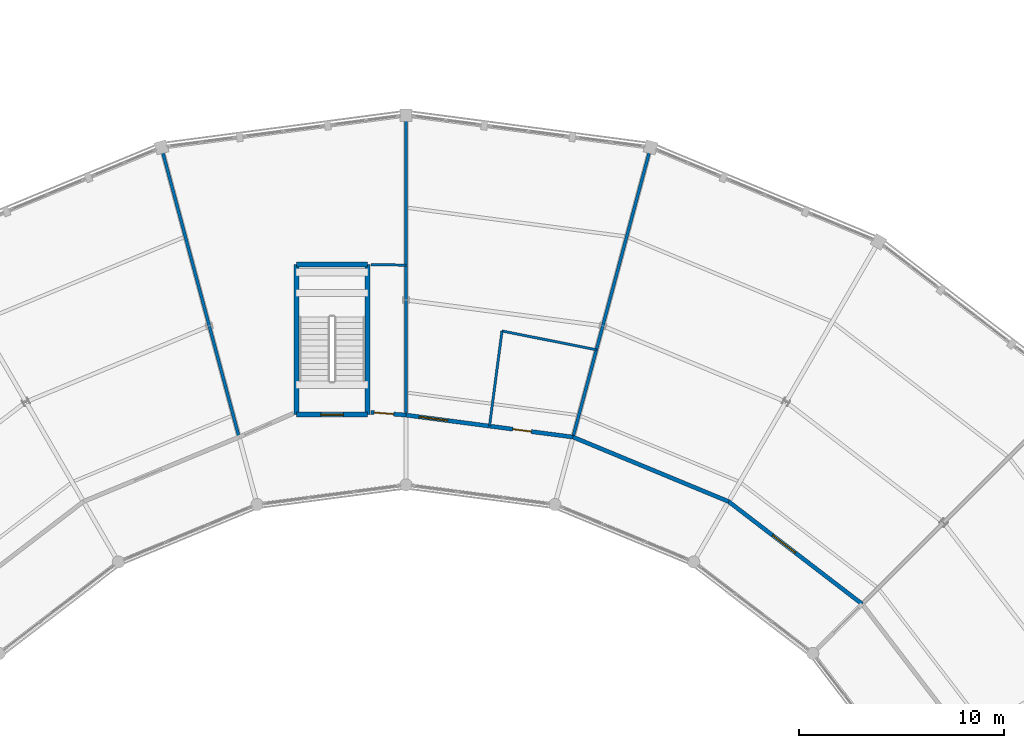
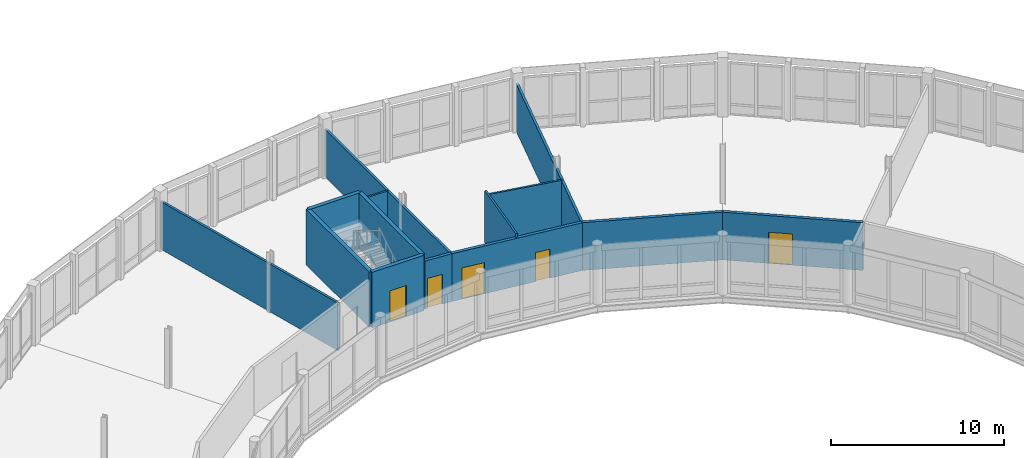
# One storey, part 145 of 170: 14 walls, 5 doors, 5 openings.
"""IFC4 building model written with IfcOpenShell, lengths in metres."""

from ifc_helpers import new_model, si_unit, direction, frame, frame_2d, origin, place, context, subcontext, project, spatial, rectangle, extrude, material, layer, layer_set, type_object, element, fill, save


model = new_model("IFC4")

# Units and contexts
model_context = context("Model", 3, precision=1e-05, world=origin(), true_north=direction((0.0, 1.0)))
body_context = subcontext(model_context, "Body", "Model", "MODEL_VIEW")
ifc_project = project(units=[si_unit("LENGTHUNIT", "METRE"), si_unit("AREAUNIT", "SQUARE_METRE"), si_unit("VOLUMEUNIT", "CUBIC_METRE"), si_unit("PLANEANGLEUNIT", "RADIAN"), si_unit("MASSUNIT", "GRAM", prefix="KILO")], contexts=[model_context])

# Site, building, storey
site_placement = place(None, origin())
site = spatial("IfcSite", under=ifc_project, at=site_placement, CompositionType="ELEMENT")
building_placement = place(site_placement, origin())
building = spatial("IfcBuilding", under=site, at=building_placement, Name="Vondelvale Polytechnic", CompositionType="ELEMENT")
storey_placement = place(building_placement, frame((0.0, 0.0, 5.39990234375)))
storey = spatial("IfcBuildingStorey", under=building, at=storey_placement, Name="L01", CompositionType="ELEMENT", Elevation=5.39990234375)

# Walls
ifc_material_1 = material(Name="Concrete N40 (f'c = 40 MPa)", Category="concrete")
ifc_layer_1 = layer(ifc_material_1, 0.25)
ifc_layer_set_1 = layer_set([ifc_layer_1], Name="WL-CORE-250")
wall_type_1 = type_object("IfcWallType", Name="WL-CORE-250", PredefinedType="SOLIDWALL", material=ifc_layer_set_1)
wall_1_placement = place(storey_placement, frame((100.125, 103.425048828125, 0.0), z_axis=(0.0, 0.0, 1.0), x_axis=(0.0, 1.0, 0.0)))
element("IfcWall", 1, at=wall_1_placement, inside=storey, type_object=wall_type_1, Name="L01 ST-09 reinforced concrete stair core wall", PredefinedType="SOLIDWALL", context=body_context, shape_type="SweptSolid", body=[
    extrude(rectangle(XDim=7.300048828125, YDim=0.25, at=frame_2d((3.64990234375, 0.0))), origin(), (0.0, 0.0, 1.0), 3.920166015625),
])
wall_2_placement = place(storey_placement, frame((100.125, 110.72509765625, 0.0), z_axis=(0.0, 0.0, 1.0), x_axis=(-1.0, 0.0, 0.0)))
element("IfcWall", 2, at=wall_2_placement, inside=storey, type_object=wall_type_1, Name="L01 ST-09 reinforced concrete stair core wall", PredefinedType="SOLIDWALL", context=body_context, shape_type="SweptSolid", body=[
    extrude(rectangle(XDim=3.449951171875, YDim=0.25, at=frame_2d((1.72509765625, 0.0))), origin(), (0.0, 0.0, 1.0), 3.920166015625),
])
wall_3_placement = place(storey_placement, frame((96.675048828125, 110.72509765625, 0.0), z_axis=(0.0, 0.0, 1.0), x_axis=(0.0, -1.0, 0.0)))
element("IfcWall", 3, at=wall_3_placement, inside=storey, type_object=wall_type_1, Name="L01 ST-09 reinforced concrete stair core wall", PredefinedType="SOLIDWALL", context=body_context, shape_type="SweptSolid", body=[
    extrude(rectangle(XDim=7.300048828125, YDim=0.25, at=frame_2d((3.64990234375, 0.0))), origin(), (0.0, 0.0, 1.0), 3.920166015625),
])

# Wall, opening, door
wall_4_placement = place(storey_placement, frame((96.675048828125, 103.425048828125, 0.0), z_axis=(0.0, 0.0, 1.0), x_axis=(1.0, 0.0, 0.0)))
wall_4 = element("IfcWall", 4, at=wall_4_placement, inside=storey, type_object=wall_type_1, Name="L01 ST-09 reinforced concrete stair core wall", PredefinedType="SOLIDWALL", context=body_context, shape_type="SweptSolid", body=[
    extrude(rectangle(XDim=3.449951171875, YDim=0.25, at=frame_2d((1.72509765625, 0.0))), origin(), (0.0, 0.0, 1.0), 3.920166015625),
])
opening_1_placement = place(wall_4_placement, frame((1.175048828125, 0.0, 0.0)))
opening_1 = element("IfcOpeningElement", 5, at=opening_1_placement, cuts=wall_4, Name="Opening SD-049", PredefinedType="OPENING", context=body_context, shape_type="SweptSolid", body=[
    extrude(rectangle(XDim=1.10009765625, YDim=2.199951171875, at=frame_2d((0.550048828125, 1.10009765625))), frame((0.0, 0.135009765625, 0.0), z_axis=(0.0, -1.0, 0.0), x_axis=(1.0, 0.0, 0.0)), (0.0, 0.0, 1.0), 0.27001953125),
])
ifc_material_2 = material(Name="Brushed architectural stainless and zinc-coated metal")
door_type_1 = type_object("IfcDoorType", Name="DR-STAIR-1100x2200", OperationType="SINGLE_SWING_LEFT", PredefinedType="DOOR", material=ifc_material_2)
door_1_placement = place(opening_1_placement, origin())
door_1 = element("IfcDoor", 6, at=door_1_placement, inside=storey, type_object=door_type_1, Name="L01 ST-09 fire-isolated stair door", OperationType="SINGLE_SWING_LEFT", OverallHeight=2.199951171875, OverallWidth=1.10009765625, PredefinedType="DOOR", context=body_context, shape_type="SweptSolid", body=[
    extrude(rectangle(XDim=1.10009765625, YDim=2.199951171875, at=frame_2d((0.550048828125, 1.10009765625))), frame((0.0, 0.02490234375, 0.0), z_axis=(0.0, -1.0, 0.0), x_axis=(1.0, 0.0, 0.0)), (0.0, 0.0, 1.0), 0.050048828125),
])
fill(opening_1, door_1)

# Wall, openings, doors
ifc_material_3 = material(Name="Fire-rated double-layer plasterboard stud partition")
ifc_layer_2 = layer(ifc_material_3, 0.199951171875)
ifc_layer_set_2 = layer_set([ifc_layer_2], Name="WL-CORR-200")
wall_type_2 = type_object("IfcWallType", Name="WL-CORR-200", PredefinedType="PARTITIONING", material=ifc_layer_set_2)
wall_5_placement = place(storey_placement, frame((110.126953125, 102.330078125, 0.0), z_axis=(0.0, 0.0, 1.0), x_axis=(-0.991446589332, 0.130513066404, 0.0)))
wall_5 = element("IfcWall", 7, at=wall_5_placement, inside=storey, type_object=wall_type_2, Name="L01 interior acoustic partition", PredefinedType="PARTITIONING", context=body_context, shape_type="SweptSolid", body=[
    extrude(rectangle(XDim=8.197021484375, YDim=0.199951171875, at=frame_2d((4.0986328125, 0.0))), origin(), (0.0, 0.0, 1.0), 3.3720703125),
])
opening_2_placement = place(wall_5_placement, frame((2.050048828125, 0.0, 0.0)))
opening_2 = element("IfcOpeningElement", 8, at=opening_2_placement, cuts=wall_5, Name="Opening ID-0298", PredefinedType="OPENING", context=body_context, shape_type="SweptSolid", body=[
    extrude(rectangle(XDim=0.89990234375, YDim=2.050048828125, at=frame_2d((0.449951171875, 1.02490234375))), frame((0.0, 0.10986328125, 0.0), z_axis=(0.0, -1.0, 0.0), x_axis=(1.0, 0.0, 0.0)), (0.0, 0.0, 1.0), 0.219970703125),
])
opening_3_placement = place(wall_5_placement, frame((6.14990234375, 0.0, 0.0)))
opening_3 = element("IfcOpeningElement", 9, at=opening_3_placement, cuts=wall_5, Name="Opening ID-0299", PredefinedType="OPENING", context=body_context, shape_type="SweptSolid", body=[
    extrude(rectangle(XDim=1.39990234375, YDim=2.199951171875, at=frame_2d((0.699951171875, 1.10009765625))), frame((0.0, 0.10986328125, 0.0), z_axis=(0.0, -1.0, 0.0), x_axis=(1.0, 0.0, 0.0)), (0.0, 0.0, 1.0), 0.219970703125),
])
ifc_material_4 = material(Name="Fire-rated solid Tasmanian oak joinery")
door_type_2 = type_object("IfcDoorType", Name="DR-LAB-1400x2200", OperationType="DOUBLE_DOOR_SINGLE_SWING", PredefinedType="DOOR", material=ifc_material_4)
door_2_placement = place(opening_3_placement, origin())
door_2 = element("IfcDoor", 10, at=door_2_placement, inside=storey, type_object=door_type_2, Name="L01 interior room door ID-0299", OperationType="DOUBLE_DOOR_SINGLE_SWING", OverallHeight=2.199951171875, OverallWidth=1.39990234375, PredefinedType="DOOR", context=body_context, shape_type="SweptSolid", body=[
    extrude(rectangle(XDim=1.39990234375, YDim=2.199951171875, at=frame_2d((0.699951171875, 1.10009765625))), frame((0.0, 0.02490234375, 0.0), z_axis=(0.0, -1.0, 0.0), x_axis=(1.0, 0.0, 0.0)), (0.0, 0.0, 1.0), 0.050048828125),
])
fill(opening_3, door_2)
door_type_3 = type_object("IfcDoorType", Name="DR-WC-0900x2050", OperationType="SINGLE_SWING_RIGHT", PredefinedType="DOOR", material=ifc_material_4)
door_3_placement = place(opening_2_placement, origin())
door_3 = element("IfcDoor", 11, at=door_3_placement, inside=storey, type_object=door_type_3, Name="L01 interior room door ID-0298", OperationType="SINGLE_SWING_RIGHT", OverallHeight=2.050048828125, OverallWidth=0.89990234375, PredefinedType="DOOR", context=body_context, shape_type="SweptSolid", body=[
    extrude(rectangle(XDim=0.89990234375, YDim=2.050048828125, at=frame_2d((0.449951171875, 1.02490234375))), frame((0.0, 0.02490234375, 0.0), z_axis=(0.0, -1.0, 0.0), x_axis=(1.0, 0.0, 0.0)), (0.0, 0.0, 1.0), 0.050048828125),
])
fill(opening_2, door_3)

# Wall, opening, door
wall_6_placement = place(storey_placement, frame((102.0, 103.39990234375, 0.0), z_axis=(0.0, 0.0, 1.0), x_axis=(-0.996807580938, 0.07984138391, 0.0)))
wall_6 = element("IfcWall", 12, at=wall_6_placement, inside=storey, type_object=wall_type_2, Name="L01 interior acoustic partition", PredefinedType="PARTITIONING", context=body_context, shape_type="SweptSolid", body=[
    extrude(rectangle(XDim=1.71533203125, YDim=0.199951171875, at=frame_2d((0.857666015625, 0.0))), origin(), (0.0, 0.0, 1.0), 3.3720703125),
])
opening_4_placement = place(wall_6_placement, frame((0.60546875, 0.0, 0.0)))
opening_4 = element("IfcOpeningElement", 13, at=opening_4_placement, cuts=wall_6, Name="Opening ID-0300", PredefinedType="OPENING", context=body_context, shape_type="SweptSolid", body=[
    extrude(rectangle(XDim=0.949951171875, YDim=2.10009765625, at=frame_2d((0.47509765625, 1.050048828125))), frame((0.0, 0.10986328125, 0.0), z_axis=(0.0, -1.0, 0.0), x_axis=(1.0, 0.0, 0.0)), (0.0, 0.0, 1.0), 0.219970703125),
])
door_type_4 = type_object("IfcDoorType", Name="DR-INT-0950x2100", OperationType="SINGLE_SWING_LEFT", PredefinedType="DOOR", material=ifc_material_4)
door_4_placement = place(opening_4_placement, origin())
door_4 = element("IfcDoor", 14, at=door_4_placement, inside=storey, type_object=door_type_4, Name="L01 interior room door ID-0300", OperationType="SINGLE_SWING_RIGHT", OverallHeight=2.10009765625, OverallWidth=0.949951171875, PredefinedType="DOOR", context=body_context, shape_type="SweptSolid", body=[
    extrude(rectangle(XDim=0.949951171875, YDim=2.10009765625, at=frame_2d((0.47509765625, 1.050048828125))), frame((0.0, 0.02490234375, 0.0), z_axis=(0.0, -1.0, 0.0), x_axis=(1.0, 0.0, 0.0)), (0.0, 0.0, 1.0), 0.050048828125),
])
fill(opening_4, door_4)

wall_7_placement = place(storey_placement, frame((124.203125, 94.203125, 0.0), z_axis=(0.0, 0.0, 1.0), x_axis=(-0.793357497113, 0.608756011694, 0.0)))
wall_7 = element("IfcWall", 15, at=wall_7_placement, inside=storey, type_object=wall_type_2, Name="L01 interior acoustic partition", PredefinedType="PARTITIONING", context=body_context, shape_type="SweptSolid", body=[
    extrude(rectangle(XDim=8.197021484375, YDim=0.199951171875, at=frame_2d((4.0986328125, 0.0))), origin(), (0.0, 0.0, 1.0), 3.3720703125),
])
opening_5_placement = place(wall_7_placement, frame((4.10009765625, 0.0, 0.0)))
opening_5 = element("IfcOpeningElement", 16, at=opening_5_placement, cuts=wall_7, Name="Opening ID-0315", PredefinedType="OPENING", context=body_context, shape_type="SweptSolid", body=[
    extrude(rectangle(XDim=1.39990234375, YDim=2.199951171875, at=frame_2d((0.699951171875, 1.10009765625))), frame((0.0, 0.10986328125, 0.0), z_axis=(0.0, -1.0, 0.0), x_axis=(1.0, 0.0, 0.0)), (0.0, 0.0, 1.0), 0.219970703125),
])
door_5_placement = place(opening_5_placement, origin())
door_5 = element("IfcDoor", 17, at=door_5_placement, inside=storey, type_object=door_type_2, Name="L01 interior room door ID-0315", OperationType="DOUBLE_DOOR_SINGLE_SWING", OverallHeight=2.199951171875, OverallWidth=1.39990234375, PredefinedType="DOOR", context=body_context, shape_type="SweptSolid", body=[
    extrude(rectangle(XDim=1.39990234375, YDim=2.199951171875, at=frame_2d((0.699951171875, 1.10009765625))), frame((0.0, 0.02490234375, 0.0), z_axis=(0.0, -1.0, 0.0), x_axis=(1.0, 0.0, 0.0)), (0.0, 0.0, 1.0), 0.050048828125),
])
fill(opening_5, door_5)

# Walls
wall_8_placement = place(storey_placement, frame((117.699951171875, 99.193115234375, 0.0), z_axis=(0.0, 0.0, 1.0), x_axis=(-0.923874167149, 0.382696385238, 0.0)))
element("IfcWall", 18, at=wall_8_placement, inside=storey, type_object=wall_type_2, Name="L01 interior acoustic partition", PredefinedType="PARTITIONING", context=body_context, shape_type="SweptSolid", body=[
    extrude(rectangle(XDim=8.197021484375, YDim=0.199951171875, at=frame_2d((4.0986328125, 0.0))), origin(), (0.0, 0.0, 1.0), 3.3720703125),
])
ifc_layer_3 = layer(ifc_material_3, 0.1201171875)
ifc_layer_set_3 = layer_set([ifc_layer_3], Name="WL-INT-120")
wall_type_3 = type_object("IfcWallType", Name="WL-INT-120", PredefinedType="PARTITIONING", material=ifc_layer_set_3)
wall_9_placement = place(storey_placement, frame((106.0634765625, 102.864990234375, 0.0), z_axis=(0.0, 0.0, 1.0), x_axis=(0.130526207551, 0.991444859356, 0.0)))
element("IfcWall", 19, at=wall_9_placement, inside=storey, type_object=wall_type_3, Name="L01 interior acoustic partition", PredefinedType="PARTITIONING", context=body_context, shape_type="SweptSolid", body=[
    extrude(rectangle(XDim=4.668701171875, YDim=0.1201171875, at=frame_2d((2.33447265625, 0.0))), origin(), (0.0, 0.0, 1.0), 3.652099609375),
])
wall_10_placement = place(storey_placement, frame((111.265625, 106.580078125, 0.0), z_axis=(0.0, 0.0, 1.0), x_axis=(-0.980784676414, 0.195093358449, 0.0)))
element("IfcWall", 20, at=wall_10_placement, inside=storey, type_object=wall_type_3, Name="L01 interior acoustic partition", PredefinedType="PARTITIONING", context=body_context, shape_type="SweptSolid", body=[
    extrude(rectangle(XDim=4.682861328125, YDim=0.1201171875, at=frame_2d((2.34130859375, 0.0))), origin(), (0.0, 0.0, 1.0), 3.3720703125),
])
wall_11_placement = place(storey_placement, frame((100.2900390625, 110.722900390625, 0.0), z_axis=(0.0, 0.0, 1.0), x_axis=(0.999909951855, -0.013419693814, 0.0)))
element("IfcWall", 21, at=wall_11_placement, inside=storey, type_object=wall_type_3, Name="L01 interior acoustic partition", PredefinedType="PARTITIONING", context=body_context, shape_type="SweptSolid", body=[
    extrude(rectangle(XDim=1.710205078125, YDim=0.1201171875, at=frame_2d((0.85498046875, 0.0))), origin(), (0.0, 0.0, 1.0), 3.3671875),
])
ifc_layer_4 = layer(ifc_material_3, 0.14990234375)
ifc_layer_set_4 = layer_set([ifc_layer_4], Name="WL-INT-150")
wall_type_4 = type_object("IfcWallType", Name="WL-INT-150", PredefinedType="PARTITIONING", material=ifc_layer_set_4)
for number, where, z_axis, x_axis, name in (
    (22, (110.126953125, 102.330078125, 0.0), (0.0, 0.0, 1.0), (0.258810530041, 0.965928107853, 0.0), "L01 interior acoustic partition"),
    (23, (102.0, 103.39990234375, 0.0), (0.0, 0.0, 1.0), (0.0, 1.0, 0.0), "L01 interior acoustic partition"),
    (24, (93.873046875, 102.330078125, 0.0), (0.0, 0.0, 1.0), (-0.258810530041, 0.965928107853, 0.0), "L01 interior acoustic partition"),
):
    element("IfcWall", number, at=place(storey_placement, frame(where, z_axis=z_axis, x_axis=x_axis)), inside=storey, type_object=wall_type_4, Name=name, PredefinedType="PARTITIONING", context=body_context, shape_type="SweptSolid", body=[
        extrude(rectangle(XDim=14.47998046875, YDim=0.14990234375, at=frame_2d((7.239990234375, 0.0))), origin(), (0.0, 0.0, 1.0), 3.3671875),
    ])

save(model, "model.ifc")
